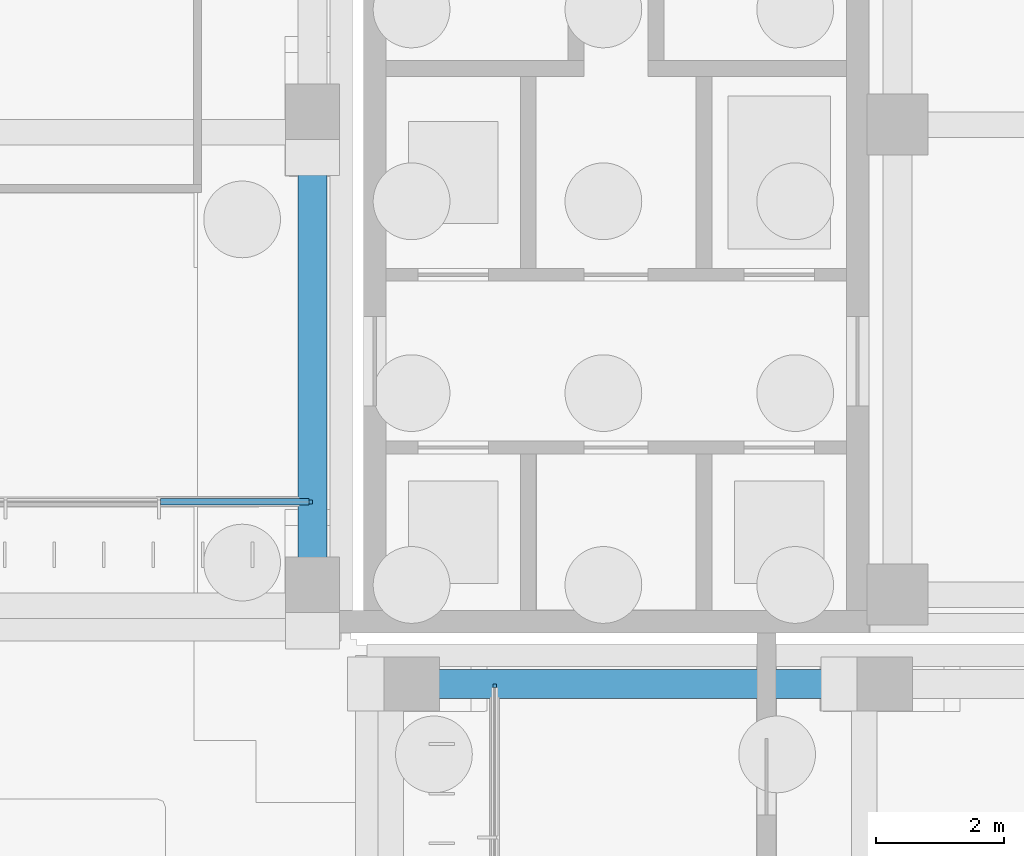
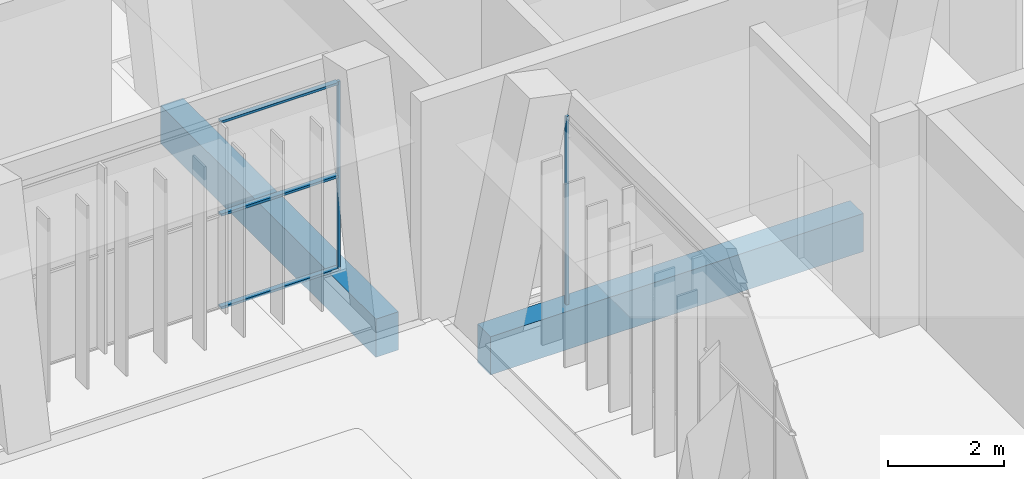
# One storey, part 80 of 144: 5 members, 2 beams, 2 elements without a shape of their own.
"""IFC4 building model written with IfcOpenShell, lengths in metres."""

import ifcopenshell
import ifcopenshell.guid

model = None  # the IFC model being written
_history = None  # IfcOwnerHistory: only IFC2X3 demands one
_inside = {}  # id of a spatial element -> (the spatial element, [elements in it])
_under = {}  # id of a project, library or spatial element -> (it, [spatial elements below it])
_declared = {}  # id of a project -> (the project, [libraries it declares])
_typed = {}  # id of a type object -> (the type object, [elements of that type])
_made_of = {}  # id of a material, layer set ... -> (it, [elements and type objects made of it])


def new_model(schema):
    """Start an empty IFC model of exactly this schema.

    Asked for "IFC4X3", IfcOpenShell would pick the latest addendum, in which some entities
    have other attributes; the version numbers below select the first issue.
    IFC2X3 requires an IfcOwnerHistory on every rooted entity: one is made here for all.
    """
    global model, _history
    if schema == "IFC4X3":
        model = ifcopenshell.file(schema_version=(4, 3, 0, 0))
    else:
        model = ifcopenshell.file(schema=schema)
    _inside.clear()
    _under.clear()
    _declared.clear()
    _typed.clear()
    _made_of.clear()
    _history = None
    if model.schema == "IFC2X3":
        org = make("IfcOrganization", Name="unknown")
        user = make(
            "IfcPersonAndOrganization",
            ThePerson=make("IfcPerson", FamilyName="unknown"),
            TheOrganization=org,
        )
        app = make(
            "IfcApplication",
            ApplicationDeveloper=org,
            Version="unknown",
            ApplicationFullName="unknown",
            ApplicationIdentifier="unknown",
        )
        _history = make(
            "IfcOwnerHistory",
            OwningUser=user,
            OwningApplication=app,
            ChangeAction="ADDED",
            CreationDate=0,
        )
    return model


def make(cls, **values):
    """One entity of the class cls with the attributes given. An attribute that is None is left unset."""
    return model.create_entity(
        cls, **{name: value for name, value in values.items() if value is not None}
    )


def rooted(cls, **values):
    """An entity with a GlobalId (a new one), such as an element, a storey or a relation."""
    return make(cls, GlobalId=ifcopenshell.guid.new(), OwnerHistory=_history, **values)


def si_unit(unit_type, name, prefix=None):
    """IfcSIUnit, for example si_unit("LENGTHUNIT", "METRE", prefix="MILLI")."""
    return make("IfcSIUnit", UnitType=unit_type, Prefix=prefix, Name=name)


def assignment(units):
    """IfcUnitAssignment: the units of a project."""
    return None if units is None else make("IfcUnitAssignment", Units=units)


def point(xyz):
    """IfcCartesianPoint."""
    return None if xyz is None else make("IfcCartesianPoint", Coordinates=xyz)


def direction(xyz):
    """IfcDirection."""
    return None if xyz is None else make("IfcDirection", DirectionRatios=xyz)


def frame(location, z_axis=None, x_axis=None):
    """IfcAxis2Placement3D, a coordinate frame: its origin and axes. An axis left out is left unset."""
    return make(
        "IfcAxis2Placement3D",
        Location=point(location),
        Axis=direction(z_axis),
        RefDirection=direction(x_axis),
    )


def frame_2d(location, x_axis=None):
    """IfcAxis2Placement2D, a coordinate frame in the plane: its origin and x axis."""
    return make(
        "IfcAxis2Placement2D", Location=point(location), RefDirection=direction(x_axis)
    )


def origin():
    """The frame at (0, 0, 0) with its axes left unset."""
    return frame((0.0, 0.0, 0.0))


def origin_2d():
    """The frame at (0, 0) in the plane with its x axis left unset."""
    return frame_2d((0.0, 0.0))


def place(relative_to, where):
    """IfcLocalPlacement: puts the frame where relative to a parent placement (None: the world)."""
    return make(
        "IfcLocalPlacement", PlacementRelTo=relative_to, RelativePlacement=where
    )


def context(
    kind, dimensions, precision=None, world=None, true_north=None, identifier=None
):
    """IfcGeometricRepresentationContext, for example the 3D "Model" context."""
    return make(
        "IfcGeometricRepresentationContext",
        ContextIdentifier=identifier,
        ContextType=kind,
        CoordinateSpaceDimension=dimensions,
        Precision=precision,
        WorldCoordinateSystem=world,
        TrueNorth=true_north,
    )


def subcontext(parent, identifier, kind, view, scale=None):
    """IfcGeometricRepresentationSubContext, for example "Body" below "Model"."""
    return make(
        "IfcGeometricRepresentationSubContext",
        ContextIdentifier=identifier,
        ContextType=kind,
        ParentContext=parent,
        TargetScale=scale,
        TargetView=view,
    )


def project(units=None, contexts=None):
    """IfcProject with its units and contexts."""
    return rooted(
        "IfcProject",
        Name="project",
        RepresentationContexts=contexts,
        UnitsInContext=assignment(units),
    )


def spatial(cls, under=None, at=None, **own):
    """A site, building, storey or space (cls), placed at a placement, below another one or the project."""
    s = rooted(cls, ObjectPlacement=at, **own)
    if under is not None:
        _under.setdefault(under.id(), (under, []))[1].append(s)
    return s


def profile(cls, at=None, kind="AREA", **sizes):
    """A parametric profile (cls). Its sizes go by their IFC names, for example OverallWidth=200.0."""
    return make(cls, ProfileType=kind, Position=at, **sizes)


def rectangle(**sizes):
    """IfcRectangleProfileDef."""
    return profile("IfcRectangleProfileDef", **sizes)


def extrude(swept, where, along, depth):
    """IfcExtrudedAreaSolid: the profile swept, set in the frame where, extruded along a direction by depth."""
    return make(
        "IfcExtrudedAreaSolid",
        SweptArea=swept,
        Position=where,
        ExtrudedDirection=direction(along),
        Depth=depth,
    )


def shape(context_of_items, identifier, shape_type, items):
    """IfcShapeRepresentation: the items that make up one representation, for example the "Body"."""
    return make(
        "IfcShapeRepresentation",
        ContextOfItems=context_of_items,
        RepresentationIdentifier=identifier,
        RepresentationType=shape_type,
        Items=items,
    )


def material(Name=None, Category=None):
    """IfcMaterial."""
    return make("IfcMaterial", Name=Name, Category=Category)


def material_profile(
    of_material, cross_section, Name=None, Category=None, Priority=None
):
    """IfcMaterialProfile: a cross section and its material."""
    return make(
        "IfcMaterialProfile",
        Name=Name,
        Material=of_material,
        Profile=cross_section,
        Priority=Priority,
        Category=Category,
    )


def profile_set(profiles, Name=None, composite=None):
    """IfcMaterialProfileSet."""
    return make(
        "IfcMaterialProfileSet",
        Name=Name,
        MaterialProfiles=profiles,
        CompositeProfile=composite,
    )


def made_of(thing, what):
    """Note that an element or type object is made of a material, layer set ...; save() writes the relation."""
    if what is not None:
        _made_of.setdefault(what.id(), (what, []))[1].append(thing)
    return thing


def type_object(cls, material=None, **own):
    """A type object (cls), such as IfcWallType, which elements share."""
    return made_of(rooted(cls, **own), material)


def element(
    cls,
    number,
    at=None,
    inside=None,
    cuts=None,
    type_object=None,
    material=None,
    context=None,
    identifier="Body",
    shape_type=None,
    held_by="IfcProductDefinitionShape",
    body=None,
    shapes=None,
    **own,
):
    """One element of the class cls, such as IfcWall. Its Tag is "e" and its number.

    at: its placement. inside: the storey or other place that contains it. cuts: it is an
    opening in that element (IfcRelVoidsElement). A single representation is given by context,
    identifier, shape_type and body (its items); several are given by shapes. held_by: the class
    of the entity that holds the representations. save() writes the other relations.
    """
    e = rooted(cls, Tag="e%d" % number, ObjectPlacement=at, **own)
    if body is not None:
        shapes = [shape(context, identifier, shape_type, body)]
    if shapes is not None:
        e.Representation = make(held_by, Representations=shapes)
    if inside is not None:
        _inside.setdefault(inside.id(), (inside, []))[1].append(e)
    if cuts is not None:
        rooted(
            "IfcRelVoidsElement", RelatingBuildingElement=cuts, RelatedOpeningElement=e
        )
    if type_object is not None:
        _typed.setdefault(type_object.id(), (type_object, []))[1].append(e)
    return made_of(e, material)


def aggregate(whole, parts):
    """IfcRelAggregates: a whole, such as a stair, and the parts it consists of."""
    return rooted("IfcRelAggregates", RelatingObject=whole, RelatedObjects=parts)


def save(model, path):
    """Write the relations noted so far, then the file.

    IfcRelAggregates (storeys below a building ...), IfcRelContainedInSpatialStructure (elements
    in a storey), IfcRelDefinesByType, IfcRelAssociatesMaterial and IfcRelDeclares: one each for
    every whole, place, type object, material and project.
    """
    for whole, parts in _under.values():
        aggregate(whole, parts)
    for where, things in _inside.values():
        rooted(
            "IfcRelContainedInSpatialStructure",
            RelatedElements=things,
            RelatingStructure=where,
        )
    for kind, things in _typed.values():
        rooted("IfcRelDefinesByType", RelatedObjects=things, RelatingType=kind)
    for what, things in _made_of.values():
        rooted("IfcRelAssociatesMaterial", RelatedObjects=things, RelatingMaterial=what)
    for by, libraries in _declared.values():
        rooted("IfcRelDeclares", RelatingContext=by, RelatedDefinitions=libraries)
    model.write(path)


model = new_model("IFC4")

# Units and contexts
model_context = context("Model", 3, precision=1e-05, world=origin(), true_north=direction((0.0, 1.0)))
body_context = subcontext(model_context, "Body", "Model", "MODEL_VIEW")
ifc_project = project(units=[si_unit("LENGTHUNIT", "METRE"), si_unit("AREAUNIT", "SQUARE_METRE"), si_unit("VOLUMEUNIT", "CUBIC_METRE"), si_unit("PLANEANGLEUNIT", "RADIAN"), si_unit("MASSUNIT", "GRAM", prefix="KILO")], contexts=[model_context])

# Site, building, storey
site_placement = place(None, origin())
site = spatial("IfcSite", under=ifc_project, at=site_placement, CompositionType="ELEMENT")
building_placement = place(site_placement, origin())
building = spatial("IfcBuilding", under=site, at=building_placement, Name="Lantern Court Media Centre", CompositionType="ELEMENT")
storey_placement = place(building_placement, origin())
storey = spatial("IfcBuildingStorey", under=building, at=storey_placement, Name="L00", CompositionType="ELEMENT", Elevation=0.0)

# Curtain wall, member
ifc_material_1 = material(Name="Curtain wall bay 2400")
curtain_wall_type = type_object("IfcCurtainWallType", Name="Curtain wall bay 2400", PredefinedType="NOTDEFINED", material=ifc_material_1)
curtain_wall_1_placement = place(storey_placement, origin())
curtain_wall_1 = element("IfcCurtainWall", 1, at=curtain_wall_1_placement, inside=storey, type_object=curtain_wall_type, Name="Curtain wall N inner L00", PredefinedType="NOTDEFINED")
ifc_material_2 = material(Name="Anodised aluminium", Category="aluminium")
ifc_material_profile_1 = material_profile(ifc_material_2, rectangle(XDim=0.06005859375, YDim=0.050048828125, at=origin_2d()), Name="AL 50x60")
ifc_profile_set_1 = profile_set([ifc_material_profile_1], Name="Anodised aluminium")
member_type_1 = type_object("IfcMemberType", Name="Curtain wall mullion 50x60", PredefinedType="MULLION", material=ifc_profile_set_1)
member_1_placement = place(storey_placement, frame((79.27490234375, 98.14990234375, 0.0), z_axis=(0.0, 0.0, 1.0), x_axis=(0.0, 1.0, 0.0)))
member_1 = element("IfcMember", 2, at=member_1_placement, type_object=member_type_1, Name="CW2 mullion 5", PredefinedType="MULLION", context=body_context, shape_type="SweptSolid", body=[
    extrude(rectangle(XDim=0.06005859375, YDim=0.050048828125, at=origin_2d()), origin(), (0.0, 0.0, 1.0), 3.949951171875),
])

curtain_wall_2_placement = place(storey_placement, origin())
curtain_wall_2 = element("IfcCurtainWall", 3, at=curtain_wall_2_placement, inside=storey, type_object=curtain_wall_type, Name="Curtain wall E inner L00", PredefinedType="NOTDEFINED")
member_2_placement = place(storey_placement, frame((82.14990234375, 95.27490234375, 0.0), z_axis=(0.0, 0.0, 1.0), x_axis=(-1.0, 0.0, 0.0)))
member_2 = element("IfcMember", 4, at=member_2_placement, type_object=member_type_1, Name="CW2 mullion 5", PredefinedType="MULLION", context=body_context, shape_type="SweptSolid", body=[
    extrude(rectangle(XDim=0.06005859375, YDim=0.050048828125, at=origin_2d()), origin(), (0.0, 0.0, 1.0), 3.949951171875),
])
aggregate(curtain_wall_2, [member_2])

# Member
ifc_material_profile_2 = material_profile(ifc_material_2, rectangle(XDim=0.10009765625, YDim=0.050048828125, at=origin_2d()), Name="AL 50x100")
ifc_profile_set_2 = profile_set([ifc_material_profile_2], Name="Anodised aluminium")
member_type_2 = type_object("IfcMemberType", Name="Curtain wall transom 100x50", PredefinedType="USERDEFINED", material=ifc_profile_set_2)
member_3_placement = place(storey_placement, frame((76.925048828125, 98.14990234375, 0.02490234375), z_axis=(1.0, 0.0, 0.0), x_axis=(0.0, 1.0, 0.0)))
member_3 = element("IfcMember", 5, at=member_3_placement, type_object=member_type_2, Name="CW2 transom 4.1", ObjectType="TRANSOM", PredefinedType="USERDEFINED", context=body_context, shape_type="SweptSolid", body=[
    extrude(rectangle(XDim=0.10009765625, YDim=0.050048828125, at=origin_2d()), origin(), (0.0, 0.0, 1.0), 2.324951171875),
])

member_4_placement = place(storey_placement, frame((76.925048828125, 98.14990234375, 1.97509765625), z_axis=(1.0, 0.0, 0.0), x_axis=(0.0, 1.0, 0.0)))
member_4 = element("IfcMember", 6, at=member_4_placement, type_object=member_type_2, Name="CW2 transom 4.2", ObjectType="TRANSOM", PredefinedType="USERDEFINED", context=body_context, shape_type="SweptSolid", body=[
    extrude(rectangle(XDim=0.10009765625, YDim=0.050048828125, at=origin_2d()), origin(), (0.0, 0.0, 1.0), 2.324951171875),
])

member_5_placement = place(storey_placement, frame((76.925048828125, 98.14990234375, 3.925048828125), z_axis=(1.0, 0.0, 0.0), x_axis=(0.0, 1.0, 0.0)))
member_5 = element("IfcMember", 7, at=member_5_placement, type_object=member_type_2, Name="CW2 transom 4.3", ObjectType="TRANSOM", PredefinedType="USERDEFINED", context=body_context, shape_type="SweptSolid", body=[
    extrude(rectangle(XDim=0.10009765625, YDim=0.050048828125, at=origin_2d()), origin(), (0.0, 0.0, 1.0), 2.324951171875),
])

aggregate(curtain_wall_1, [member_1, member_3, member_4, member_5])

# Beams
ifc_material_3 = material(Name="Concrete C35", Category="concrete")
ifc_material_profile_3 = material_profile(ifc_material_3, rectangle(XDim=0.449951171875, YDim=0.800048828125, at=origin_2d()), Name="RC 450x800")
ifc_profile_set_3 = profile_set([ifc_material_profile_3], Name="Concrete C35")
beam_type = type_object("IfcBeamType", Name="RC BEAM 450x800", PredefinedType="BEAM", material=ifc_profile_set_3)
for number, where, z_axis, x_axis, name in (
    (8, (79.300048828125, 96.5166015625, -0.39990234375), (0.0, 1.0, 0.0), (-1.0, 0.0, 0.0), "TB-N-L00-7-1"),
    (9, (80.5166015625, 95.300048828125, -0.39990234375), (1.0, 0.0, 0.0), (0.0, 1.0, 0.0), "TB-E-L00-4-1"),
):
    element("IfcBeam", number, at=place(storey_placement, frame(where, z_axis=z_axis, x_axis=x_axis)), inside=storey, type_object=beam_type, Name=name, PredefinedType="BEAM", context=body_context, shape_type="SweptSolid", body=[
        extrude(rectangle(XDim=0.449951171875, YDim=0.800048828125, at=origin_2d()), origin(), (0.0, 0.0, 1.0), 7.400146484375),
    ])

save(model, "model.ifc")
